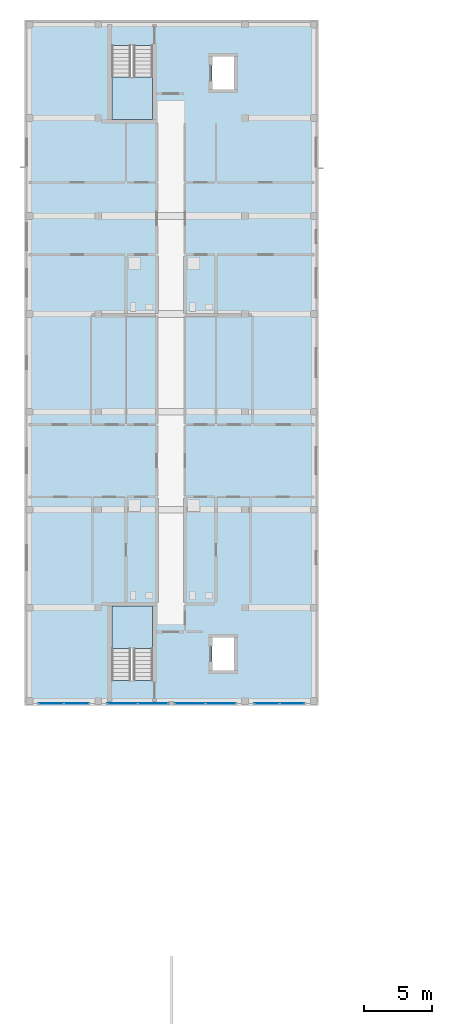
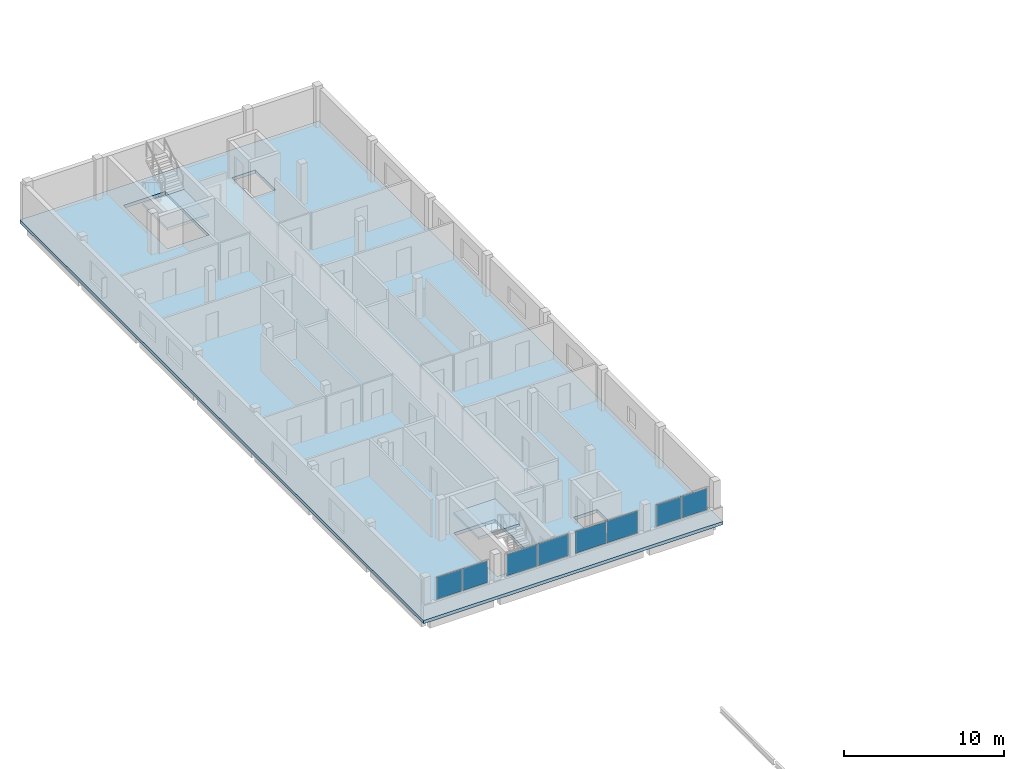
# One storey, part 9 of 28: 8 plates, 3 slabs, 6 elements without a shape of their own.
"""IFC4 building model written with IfcOpenShell, lengths in metres."""

from ifc_helpers import new_model, si_unit, derived_unit, direction, frame, origin, origin_2d, place, context, subcontext, project, spatial, polyline, rectangle, outline, extrude, material, layer, layer_set, type_object, element, aggregate, save


model = new_model("IFC4")

# Units and contexts
model_context = context("Model", 3, precision=1e-05, world=origin(), true_north=direction((0.0, 1.0)))
body_context = subcontext(model_context, "Body", "Model", "MODEL_VIEW")
ifc_project = project(units=[si_unit("LENGTHUNIT", "METRE"), si_unit("AREAUNIT", "SQUARE_METRE"), si_unit("VOLUMEUNIT", "CUBIC_METRE"), si_unit("PLANEANGLEUNIT", "RADIAN"), si_unit("MASSUNIT", "GRAM", prefix="KILO"), derived_unit("THERMALTRANSMITTANCEUNIT", [(si_unit("MASSUNIT", "GRAM", prefix="KILO"), 1), (si_unit("TIMEUNIT", "SECOND"), -3), (si_unit("THERMODYNAMICTEMPERATUREUNIT", "KELVIN"), -1)])], contexts=[model_context])

# Site, building, storey
site_placement = place(None, origin())
site = spatial("IfcSite", under=ifc_project, at=site_placement, CompositionType="ELEMENT")
building_placement = place(site_placement, origin())
building = spatial("IfcBuilding", under=site, at=building_placement, Name="Ochrekiln Boulevard Commons", CompositionType="ELEMENT")
storey_placement = place(building_placement, frame((0.0, 0.0, 34.125)))
storey = spatial("IfcBuildingStorey", under=building, at=storey_placement, Name="L10", CompositionType="ELEMENT", Elevation=34.125)

# Curtain wall, plates
ifc_material_1 = material(Name="Bronze-anodized extruded aluminium 6063-T6", Category="aluminium")
ifc_layer_1 = layer(ifc_material_1, 0.172119140625)
ifc_layer_set_1 = layer_set([ifc_layer_1], Name="Bronze-anodized extruded aluminium 6063-T6")
curtain_wall_type = type_object("IfcCurtainWallType", Name="CW-GABLE-A", PredefinedType="USERDEFINED", material=ifc_layer_set_1)
curtain_wall_1_placement = place(storey_placement, origin())
curtain_wall_1 = element("IfcCurtainWall", 1, at=curtain_wall_1_placement, inside=storey, type_object=curtain_wall_type, Name="Block A L10 Courtyard Glazed Gable Curtain Wall 4", ObjectType="GLAZED CURTAIN WALL", PredefinedType="USERDEFINED")
ifc_material_2 = material(Name="Spectrally selective low-E insulated glazing", Category="glass")
ifc_layer_2 = layer(ifc_material_2, 0.02392578125)
ifc_layer_set_2 = layer_set([ifc_layer_2], Name="Spectrally selective low-E insulated glazing")
plate_type_1 = type_object("IfcPlateType", Name="CWP-GLZ-1", PredefinedType="CURTAIN_PANEL", material=ifc_layer_set_2)
plate_1_placement = place(storey_placement, frame((17.788818359375, 68.56005859375, 1.175048828125), z_axis=(0.0, 0.0, 1.0), x_axis=(1.0, 0.0, 0.0)))
plate_1 = element("IfcPlate", 2, at=plate_1_placement, type_object=plate_type_1, Name="CW-01 panel 1.1", PredefinedType="CURTAIN_PANEL", context=body_context, shape_type="SweptSolid", body=[
    extrude(rectangle(XDim=1.8076171875, YDim=0.02392578125, at=origin_2d()), origin(), (0.0, 0.0, 1.0), 1.64990234375),
])
plate_2_placement = place(storey_placement, frame((19.6611328125, 68.56005859375, 1.175048828125), z_axis=(0.0, 0.0, 1.0), x_axis=(1.0, 0.0, 0.0)))
plate_2 = element("IfcPlate", 3, at=plate_2_placement, type_object=plate_type_1, Name="CW-01 panel 2.1", PredefinedType="CURTAIN_PANEL", context=body_context, shape_type="SweptSolid", body=[
    extrude(rectangle(XDim=1.8076171875, YDim=0.02392578125, at=origin_2d()), origin(), (0.0, 0.0, 1.0), 1.64990234375),
])
aggregate(curtain_wall_1, [plate_1, plate_2])

curtain_wall_2_placement = place(storey_placement, origin())
curtain_wall_2 = element("IfcCurtainWall", 4, at=curtain_wall_2_placement, inside=storey, type_object=curtain_wall_type, Name="Block A L10 Courtyard Glazed Gable Curtain Wall 1", ObjectType="GLAZED CURTAIN WALL", PredefinedType="USERDEFINED")
ifc_layer_3 = layer(ifc_material_2, 0.030029296875)
ifc_layer_set_3 = layer_set([ifc_layer_3], Name="Spectrally selective low-E insulated glazing")
plate_type_2 = type_object("IfcPlateType", Name="CWP-GLZ-2", PredefinedType="CURTAIN_PANEL", material=ifc_layer_set_3)
plate_3_placement = place(storey_placement, frame((1.9375, 68.56005859375, 1.169921875), z_axis=(0.0, 0.0, 1.0), x_axis=(1.0, 0.0, 0.0)))
plate_3 = element("IfcPlate", 5, at=plate_3_placement, type_object=plate_type_2, Name="CW-01 panel 1.1", PredefinedType="CURTAIN_PANEL", context=body_context, shape_type="SweptSolid", body=[
    extrude(rectangle(XDim=1.81494140625, YDim=0.030029296875, at=origin_2d()), origin(), (0.0, 0.0, 1.0), 1.659912109375),
])
plate_4_placement = place(storey_placement, frame((3.8125, 68.56005859375, 1.169921875), z_axis=(0.0, 0.0, 1.0), x_axis=(1.0, 0.0, 0.0)))
plate_4 = element("IfcPlate", 6, at=plate_4_placement, type_object=plate_type_2, Name="CW-01 panel 2.1", PredefinedType="CURTAIN_PANEL", context=body_context, shape_type="SweptSolid", body=[
    extrude(rectangle(XDim=1.81494140625, YDim=0.030029296875, at=origin_2d()), origin(), (0.0, 0.0, 1.0), 1.659912109375),
])
aggregate(curtain_wall_2, [plate_3, plate_4])

curtain_wall_3_placement = place(storey_placement, origin())
curtain_wall_3 = element("IfcCurtainWall", 7, at=curtain_wall_3_placement, inside=storey, type_object=curtain_wall_type, Name="Block A L10 Courtyard Glazed Gable Curtain Wall 2", ObjectType="GLAZED CURTAIN WALL", PredefinedType="USERDEFINED")
ifc_layer_4 = layer(ifc_material_2, 0.035888671875)
ifc_layer_set_4 = layer_set([ifc_layer_4], Name="Spectrally selective low-E insulated glazing")
plate_type_3 = type_object("IfcPlateType", Name="CWP-GLZ-3", PredefinedType="CURTAIN_PANEL", material=ifc_layer_set_4)
plate_5_placement = place(storey_placement, frame((7.18115234375, 68.56005859375, 1.175048828125), z_axis=(0.0, 0.0, 1.0), x_axis=(1.0, 0.0, 0.0)))
plate_5 = element("IfcPlate", 8, at=plate_5_placement, type_object=plate_type_3, Name="CW-01 panel 1.1", PredefinedType="CURTAIN_PANEL", context=body_context, shape_type="SweptSolid", body=[
    extrude(rectangle(XDim=2.1923828125, YDim=0.035888671875, at=origin_2d()), origin(), (0.0, 0.0, 1.0), 1.64990234375),
])
plate_6_placement = place(storey_placement, frame((9.438720703125, 68.56005859375, 1.175048828125), z_axis=(0.0, 0.0, 1.0), x_axis=(1.0, 0.0, 0.0)))
plate_6 = element("IfcPlate", 9, at=plate_6_placement, type_object=plate_type_3, Name="CW-01 panel 2.1", PredefinedType="CURTAIN_PANEL", context=body_context, shape_type="SweptSolid", body=[
    extrude(rectangle(XDim=2.1923828125, YDim=0.035888671875, at=origin_2d()), origin(), (0.0, 0.0, 1.0), 1.64990234375),
])
aggregate(curtain_wall_3, [plate_5, plate_6])

curtain_wall_4_placement = place(storey_placement, origin())
curtain_wall_4 = element("IfcCurtainWall", 10, at=curtain_wall_4_placement, inside=storey, type_object=curtain_wall_type, Name="Block A L10 Courtyard Glazed Gable Curtain Wall 3", ObjectType="GLAZED CURTAIN WALL", PredefinedType="USERDEFINED")
ifc_layer_5 = layer(ifc_material_2, 0.0419921875)
ifc_layer_set_5 = layer_set([ifc_layer_5], Name="Spectrally selective low-E insulated glazing")
plate_type_4 = type_object("IfcPlateType", Name="CWP-GLZ-4", PredefinedType="CURTAIN_PANEL", material=ifc_layer_set_5)
plate_7_placement = place(storey_placement, frame((12.159912109375, 68.56005859375, 1.169921875), z_axis=(0.0, 0.0, 1.0), x_axis=(1.0, 0.0, 0.0)))
plate_7 = element("IfcPlate", 11, at=plate_7_placement, type_object=plate_type_4, Name="CW-01 panel 1.1", PredefinedType="CURTAIN_PANEL", context=body_context, shape_type="SweptSolid", body=[
    extrude(rectangle(XDim=2.199951171875, YDim=0.0419921875, at=origin_2d()), origin(), (0.0, 0.0, 1.0), 1.659912109375),
])
plate_8_placement = place(storey_placement, frame((14.419921875, 68.56005859375, 1.169921875), z_axis=(0.0, 0.0, 1.0), x_axis=(1.0, 0.0, 0.0)))
plate_8 = element("IfcPlate", 12, at=plate_8_placement, type_object=plate_type_4, Name="CW-01 panel 2.1", PredefinedType="CURTAIN_PANEL", context=body_context, shape_type="SweptSolid", body=[
    extrude(rectangle(XDim=2.199951171875, YDim=0.0419921875, at=origin_2d()), origin(), (0.0, 0.0, 1.0), 1.659912109375),
])
aggregate(curtain_wall_4, [plate_7, plate_8])

# Stair, slab
ifc_material_3 = material(Name="Concrete C35/45", Category="concrete")
stair_type = type_object("IfcStairType", Name="STR-DL-315", PredefinedType="TWO_STRAIGHT_RUN_STAIR", material=ifc_material_3)
stair_1_placement = place(storey_placement, origin())
stair_1 = element("IfcStair", 13, at=stair_1_placement, inside=storey, type_object=stair_type, Name="L10 Enclosed Exit Stair ST-A1", PredefinedType="TWO_STRAIGHT_RUN_STAIR")
ifc_layer_6 = layer(ifc_material_3, 0.199951171875)
ifc_layer_set_6 = layer_set([ifc_layer_6], Name="Concrete C35/45")
slab_type_1 = type_object("IfcSlabType", Name="SLB-LND-200", PredefinedType="LANDING", material=ifc_layer_set_6)
slab_1_placement = place(storey_placement, frame((0.0, 0.0, 1.375)))
slab_1 = element("IfcSlab", 14, at=slab_1_placement, type_object=slab_type_1, Name="ST-A1 landing 1", PredefinedType="LANDING", context=body_context, shape_type="SweptSolid", body=[
    extrude(outline(polyline([(9.39990234375, 72.590087890625), (9.39990234375, 75.719970703125), (6.39990234375, 75.719970703125), (6.39990234375, 72.590087890625), (9.39990234375, 72.590087890625)])), origin(), (0.0, 0.0, 1.0), 0.199951171875),
])
aggregate(stair_1, [slab_1])

stair_2_placement = place(storey_placement, origin())
stair_2 = element("IfcStair", 15, at=stair_2_placement, inside=storey, type_object=stair_type, Name="L10 Enclosed Exit Stair ST-A2", PredefinedType="TWO_STRAIGHT_RUN_STAIR")
slab_2_placement = place(storey_placement, frame((0.0, 0.0, 1.375)))
slab_2 = element("IfcSlab", 16, at=slab_2_placement, type_object=slab_type_1, Name="ST-A2 landing 1", PredefinedType="LANDING", context=body_context, shape_type="SweptSolid", body=[
    extrude(outline(polyline([(6.39990234375, 114.610107421875), (6.39990234375, 111.47998046875), (9.39990234375, 111.47998046875), (9.39990234375, 114.610107421875), (6.39990234375, 114.610107421875)])), origin(), (0.0, 0.0, 1.0), 0.199951171875),
])
aggregate(stair_2, [slab_2])

# Slab
ifc_layer_7 = layer(ifc_material_3, 0.25)
ifc_layer_set_7 = layer_set([ifc_layer_7], Name="Concrete C35/45")
slab_type_2 = type_object("IfcSlabType", Name="SLB-LOFT-250", PredefinedType="FLOOR", material=ifc_layer_set_7)
slab_3_placement = place(storey_placement, frame((0.0, 0.0, -0.25)))
element("IfcSlab", 17, at=slab_3_placement, inside=storey, type_object=slab_type_2, Name="Block A L10 Reinforced Concrete Floor Slab", PredefinedType="FLOOR", context=body_context, shape_type="SweptSolid", body=[
    extrude(outline(polyline([(0.0, 68.39990234375), (21.60009765625, 68.39990234375), (21.60009765625, 118.800048828125), (0.0, 118.800048828125), (0.0, 68.39990234375)]), holes=[polyline([(9.39990234375, 70.2705078125), (9.39990234375, 75.719970703125), (6.39990234375, 75.719970703125), (6.39990234375, 70.2705078125), (9.39990234375, 70.2705078125)]), polyline([(6.39990234375, 116.929443359375), (6.39990234375, 111.47998046875), (9.39990234375, 111.47998046875), (9.39990234375, 116.929443359375), (6.39990234375, 116.929443359375)]), polyline([(13.75, 70.949951171875), (15.449951171875, 70.949951171875), (15.449951171875, 73.449951171875), (13.75, 73.449951171875), (13.75, 70.949951171875)]), polyline([(13.75, 113.64990234375), (15.449951171875, 113.64990234375), (15.449951171875, 116.14990234375), (13.75, 116.14990234375), (13.75, 113.64990234375)])]), origin(), (0.0, 0.0, 1.0), 0.25),
])

save(model, "model.ifc")
